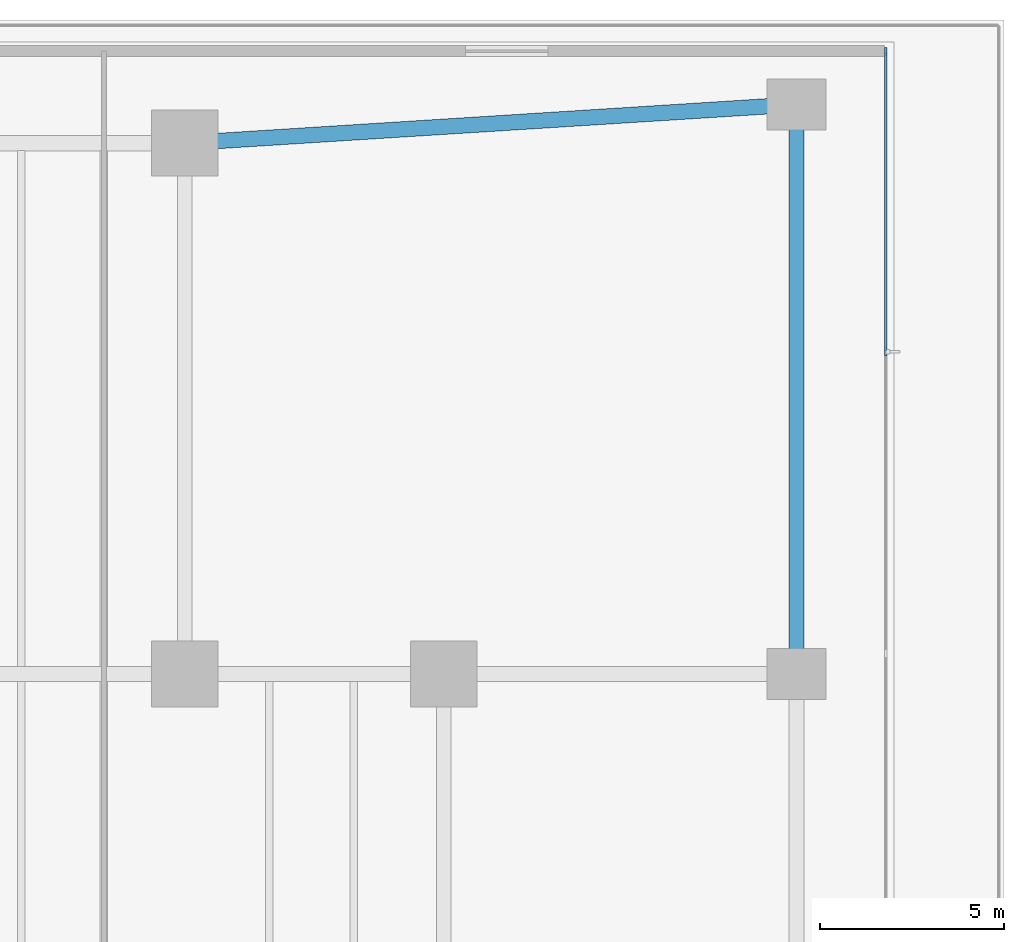
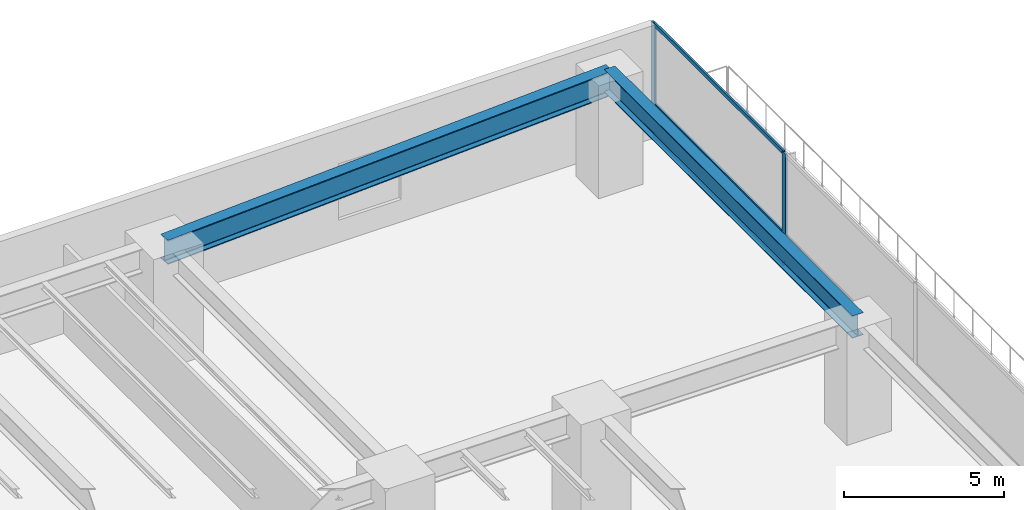
# One storey, part 8 of 28: 5 members, 2 beams, 1 element without a shape of its own.
"""IFC4 building model written with IfcOpenShell, lengths in metres."""

from ifc_helpers import new_model, si_unit, direction, frame, origin, origin_2d, place, context, subcontext, project, spatial, rectangle, i_section, extrude, material, layer, layer_set, material_profile, profile_set, type_object, element, aggregate, save


model = new_model("IFC4")

# Units and contexts
model_context = context("Model", 3, precision=1e-05, world=origin(), true_north=direction((0.0, 1.0)))
body_context = subcontext(model_context, "Body", "Model", "MODEL_VIEW")
ifc_project = project(units=[si_unit("LENGTHUNIT", "METRE"), si_unit("AREAUNIT", "SQUARE_METRE"), si_unit("VOLUMEUNIT", "CUBIC_METRE"), si_unit("PLANEANGLEUNIT", "RADIAN"), si_unit("MASSUNIT", "GRAM", prefix="KILO")], contexts=[model_context])

# Site, building, storey
site_placement = place(None, origin())
site = spatial("IfcSite", under=ifc_project, at=site_placement, CompositionType="ELEMENT")
building_placement = place(site_placement, origin())
building = spatial("IfcBuilding", under=site, at=building_placement, Name="Qalmaran Belvedere Hotel", CompositionType="ELEMENT")
storey_placement = place(building_placement, frame((0.0, 0.0, 10.0)))
storey = spatial("IfcBuildingStorey", under=building, at=storey_placement, Name="L02", CompositionType="ELEMENT", Elevation=10.0)

# Beams
ifc_material_1 = material(Name="Steel S355JR", Category="steel")
ifc_material_profile_1 = material_profile(ifc_material_1, i_section(OverallWidth=0.419921875, OverallDepth=0.9208984375, WebThickness=0.021240234375, FlangeThickness=0.03662109375, FilletRadius=0.02392578125, at=origin_2d()), Name="W920X387")
ifc_profile_set_1 = profile_set([ifc_material_profile_1], Name="Steel S355JR")
beam_type_1 = type_object("IfcBeamType", Name="BM-PG1-W920X387", PredefinedType="USERDEFINED", material=ifc_profile_set_1)
beam_1_placement = place(storey_placement, frame((53.699951171875, 47.449951171875, 3.839599609375), z_axis=(0.998017287437, 0.0629404002, 0.0), x_axis=(-0.0629404002, 0.998017287437, 0.0)))
element("IfcBeam", 1, at=beam_1_placement, inside=storey, type_object=beam_type_1, Name="L02 Podium Primary Girder GX27", ObjectType="GIRDER", PredefinedType="USERDEFINED", context=body_context, shape_type="SweptSolid", body=[
    extrude(i_section(OverallWidth=0.419921875, OverallDepth=0.9208984375, WebThickness=0.021240234375, FlangeThickness=0.03662109375, FilletRadius=0.02392578125, at=origin_2d()), origin(), (0.0, 0.0, 1.0), 16.68310546875),
])
ifc_material_profile_2 = material_profile(ifc_material_1, i_section(OverallWidth=0.39990234375, OverallDepth=0.85498046875, WebThickness=0.018310546875, FlangeThickness=0.029296875, FilletRadius=0.02392578125, at=origin_2d()), Name="W840X299")
ifc_profile_set_2 = profile_set([ifc_material_profile_2], Name="Steel S355JR")
beam_type_2 = type_object("IfcBeamType", Name="BM-PG3-W840X299", PredefinedType="USERDEFINED", material=ifc_profile_set_2)
beam_2_placement = place(storey_placement, frame((70.35009765625, 33.0, 3.87255859375), z_axis=(0.0, 1.0, 0.0), x_axis=(-1.0, 0.0, 0.0)))
element("IfcBeam", 2, at=beam_2_placement, inside=storey, type_object=beam_type_2, Name="L02 Podium Transverse Girder GY52", ObjectType="GIRDER", PredefinedType="USERDEFINED", context=body_context, shape_type="SweptSolid", body=[
    extrude(i_section(OverallWidth=0.39990234375, OverallDepth=0.85498046875, WebThickness=0.018310546875, FlangeThickness=0.029296875, FilletRadius=0.02392578125, at=origin_2d()), origin(), (0.0, 0.0, 1.0), 15.5),
])

# Curtain wall, members
ifc_material_2 = material(Name="Anodised Bronze Aluminium", Category="aluminium")
ifc_layer = layer(ifc_material_2, 0.219970703125, Name="Anodised Bronze Aluminium")
ifc_layer_set = layer_set([ifc_layer], Name="Anodised Bronze Aluminium")
curtain_wall_type = type_object("IfcCurtainWallType", Name="CW1-PODIUM-BRONZE", PredefinedType="NOTDEFINED", material=ifc_layer_set)
curtain_wall_placement = place(storey_placement, origin())
curtain_wall = element("IfcCurtainWall", 3, at=curtain_wall_placement, inside=storey, type_object=curtain_wall_type, Name="L02 Curtain Wall CW1", PredefinedType="NOTDEFINED")
ifc_material_profile_3 = material_profile(ifc_material_2, rectangle(XDim=0.074951171875, YDim=0.219970703125, at=origin_2d()), Name="CWM75X220")
ifc_profile_set_3 = profile_set([ifc_material_profile_3], Name="Anodised Bronze Aluminium")
member_type_1 = type_object("IfcMemberType", Name="CWM-75X220", PredefinedType="MULLION", material=ifc_profile_set_3)
member_1_placement = place(storey_placement, frame((72.780029296875, 41.77001953125, 0.0), z_axis=(0.0, 0.0, 1.0), x_axis=(-1.0, 0.0, 0.0)))
member_1 = element("IfcMember", 4, at=member_1_placement, type_object=member_type_1, Name="CW1 mullion 6", PredefinedType="MULLION", context=body_context, shape_type="SweptSolid", body=[
    extrude(rectangle(XDim=0.074951171875, YDim=0.219970703125, at=origin_2d()), origin(), (0.0, 0.0, 1.0), 4.300048828125),
])
member_2_placement = place(storey_placement, frame((72.780029296875, 49.9423828125, 0.0), z_axis=(0.0, 0.0, 1.0), x_axis=(-1.0, 0.0, 0.0)))
member_2 = element("IfcMember", 5, at=member_2_placement, type_object=member_type_1, Name="CW1 mullion 7", PredefinedType="MULLION", context=body_context, shape_type="SweptSolid", body=[
    extrude(rectangle(XDim=0.074951171875, YDim=0.219970703125, at=origin_2d()), origin(), (0.0, 0.0, 1.0), 4.300048828125),
])
ifc_material_profile_4 = material_profile(ifc_material_2, rectangle(XDim=0.070068359375, YDim=0.14990234375, at=origin_2d()), Name="CWT70X150")
ifc_profile_set_4 = profile_set([ifc_material_profile_4], Name="Anodised Bronze Aluminium")
member_type_2 = type_object("IfcMemberType", Name="CWT-70X150", PredefinedType="USERDEFINED", material=ifc_profile_set_4)
member_3_placement = place(storey_placement, frame((72.780029296875, 41.8076171875, 0.034912109375), z_axis=(0.0, 1.0, 0.0), x_axis=(-1.0, 0.0, 0.0)))
member_3 = element("IfcMember", 6, at=member_3_placement, type_object=member_type_2, Name="CW1 transom 6.1", ObjectType="TRANSOM", PredefinedType="USERDEFINED", context=body_context, shape_type="SweptSolid", body=[
    extrude(rectangle(XDim=0.070068359375, YDim=0.14990234375, at=origin_2d()), origin(), (0.0, 0.0, 1.0), 8.097412109375),
])
member_4_placement = place(storey_placement, frame((72.780029296875, 41.8076171875, 1.2041015625), z_axis=(0.0, 1.0, 0.0), x_axis=(-1.0, 0.0, 0.0)))
member_4 = element("IfcMember", 7, at=member_4_placement, type_object=member_type_2, Name="CW1 transom 6.2", ObjectType="TRANSOM", PredefinedType="USERDEFINED", context=body_context, shape_type="SweptSolid", body=[
    extrude(rectangle(XDim=0.070068359375, YDim=0.14990234375, at=origin_2d()), origin(), (0.0, 0.0, 1.0), 8.097412109375),
])
member_5_placement = place(storey_placement, frame((72.780029296875, 41.8076171875, 4.264892578125), z_axis=(0.0, 1.0, 0.0), x_axis=(-1.0, 0.0, 0.0)))
member_5 = element("IfcMember", 8, at=member_5_placement, type_object=member_type_2, Name="CW1 transom 6.3", ObjectType="TRANSOM", PredefinedType="USERDEFINED", context=body_context, shape_type="SweptSolid", body=[
    extrude(rectangle(XDim=0.070068359375, YDim=0.14990234375, at=origin_2d()), origin(), (0.0, 0.0, 1.0), 8.097412109375),
])
aggregate(curtain_wall, [member_1, member_2, member_3, member_4, member_5])

save(model, "model.ifc")
